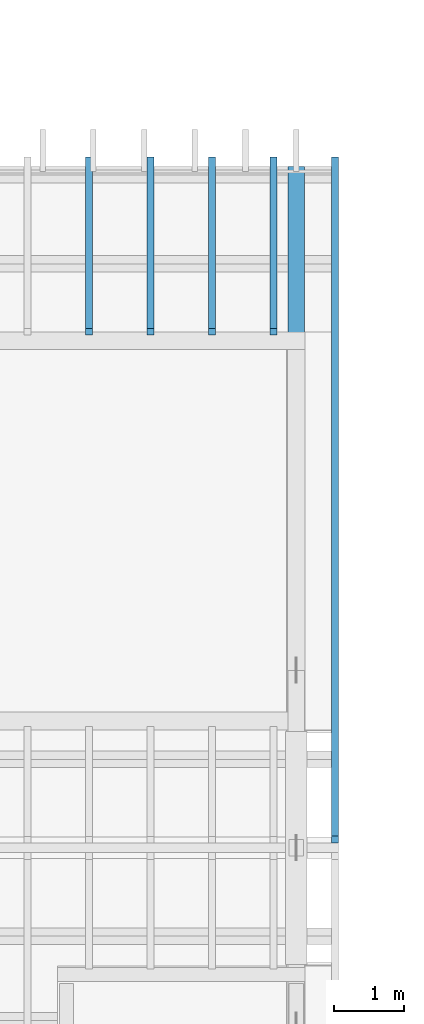
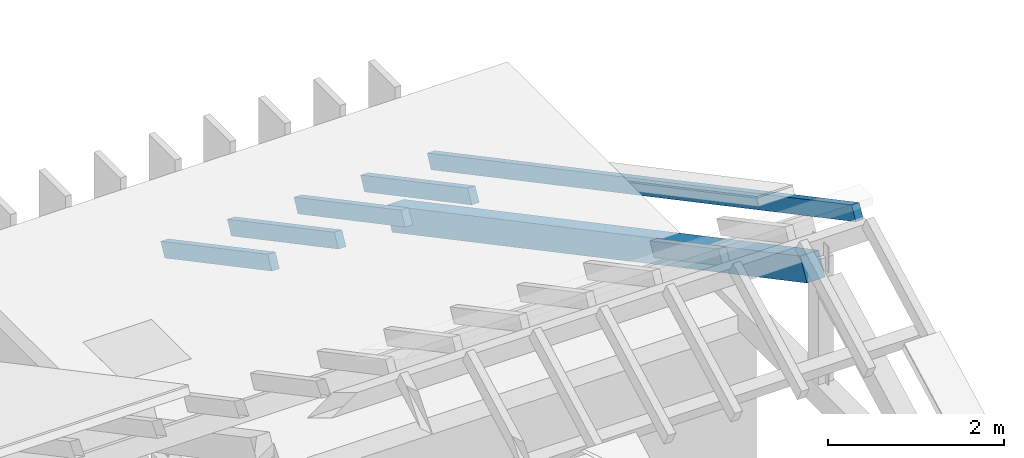
# One storey, part 11 of 28: 6 members.
"""IFC4 building model written with IfcOpenShell, lengths in metres."""

import ifcopenshell
import ifcopenshell.guid

model = None  # the IFC model being written
_history = None  # IfcOwnerHistory: only IFC2X3 demands one
_inside = {}  # id of a spatial element -> (the spatial element, [elements in it])
_under = {}  # id of a project, library or spatial element -> (it, [spatial elements below it])
_declared = {}  # id of a project -> (the project, [libraries it declares])
_typed = {}  # id of a type object -> (the type object, [elements of that type])
_made_of = {}  # id of a material, layer set ... -> (it, [elements and type objects made of it])


def new_model(schema):
    """Start an empty IFC model of exactly this schema.

    Asked for "IFC4X3", IfcOpenShell would pick the latest addendum, in which some entities
    have other attributes; the version numbers below select the first issue.
    IFC2X3 requires an IfcOwnerHistory on every rooted entity: one is made here for all.
    """
    global model, _history
    if schema == "IFC4X3":
        model = ifcopenshell.file(schema_version=(4, 3, 0, 0))
    else:
        model = ifcopenshell.file(schema=schema)
    _inside.clear()
    _under.clear()
    _declared.clear()
    _typed.clear()
    _made_of.clear()
    _history = None
    if model.schema == "IFC2X3":
        org = make("IfcOrganization", Name="unknown")
        user = make(
            "IfcPersonAndOrganization",
            ThePerson=make("IfcPerson", FamilyName="unknown"),
            TheOrganization=org,
        )
        app = make(
            "IfcApplication",
            ApplicationDeveloper=org,
            Version="unknown",
            ApplicationFullName="unknown",
            ApplicationIdentifier="unknown",
        )
        _history = make(
            "IfcOwnerHistory",
            OwningUser=user,
            OwningApplication=app,
            ChangeAction="ADDED",
            CreationDate=0,
        )
    return model


def make(cls, **values):
    """One entity of the class cls with the attributes given. An attribute that is None is left unset."""
    return model.create_entity(
        cls, **{name: value for name, value in values.items() if value is not None}
    )


def rooted(cls, **values):
    """An entity with a GlobalId (a new one), such as an element, a storey or a relation."""
    return make(cls, GlobalId=ifcopenshell.guid.new(), OwnerHistory=_history, **values)


def si_unit(unit_type, name, prefix=None):
    """IfcSIUnit, for example si_unit("LENGTHUNIT", "METRE", prefix="MILLI")."""
    return make("IfcSIUnit", UnitType=unit_type, Prefix=prefix, Name=name)


def assignment(units):
    """IfcUnitAssignment: the units of a project."""
    return None if units is None else make("IfcUnitAssignment", Units=units)


def point(xyz):
    """IfcCartesianPoint."""
    return None if xyz is None else make("IfcCartesianPoint", Coordinates=xyz)


def direction(xyz):
    """IfcDirection."""
    return None if xyz is None else make("IfcDirection", DirectionRatios=xyz)


def frame(location, z_axis=None, x_axis=None):
    """IfcAxis2Placement3D, a coordinate frame: its origin and axes. An axis left out is left unset."""
    return make(
        "IfcAxis2Placement3D",
        Location=point(location),
        Axis=direction(z_axis),
        RefDirection=direction(x_axis),
    )


def frame_2d(location, x_axis=None):
    """IfcAxis2Placement2D, a coordinate frame in the plane: its origin and x axis."""
    return make(
        "IfcAxis2Placement2D", Location=point(location), RefDirection=direction(x_axis)
    )


def origin():
    """The frame at (0, 0, 0) with its axes left unset."""
    return frame((0.0, 0.0, 0.0))


def origin_2d():
    """The frame at (0, 0) in the plane with its x axis left unset."""
    return frame_2d((0.0, 0.0))


def place(relative_to, where):
    """IfcLocalPlacement: puts the frame where relative to a parent placement (None: the world)."""
    return make(
        "IfcLocalPlacement", PlacementRelTo=relative_to, RelativePlacement=where
    )


def context(
    kind, dimensions, precision=None, world=None, true_north=None, identifier=None
):
    """IfcGeometricRepresentationContext, for example the 3D "Model" context."""
    return make(
        "IfcGeometricRepresentationContext",
        ContextIdentifier=identifier,
        ContextType=kind,
        CoordinateSpaceDimension=dimensions,
        Precision=precision,
        WorldCoordinateSystem=world,
        TrueNorth=true_north,
    )


def subcontext(parent, identifier, kind, view, scale=None):
    """IfcGeometricRepresentationSubContext, for example "Body" below "Model"."""
    return make(
        "IfcGeometricRepresentationSubContext",
        ContextIdentifier=identifier,
        ContextType=kind,
        ParentContext=parent,
        TargetScale=scale,
        TargetView=view,
    )


def project(units=None, contexts=None):
    """IfcProject with its units and contexts."""
    return rooted(
        "IfcProject",
        Name="project",
        RepresentationContexts=contexts,
        UnitsInContext=assignment(units),
    )


def spatial(cls, under=None, at=None, **own):
    """A site, building, storey or space (cls), placed at a placement, below another one or the project."""
    s = rooted(cls, ObjectPlacement=at, **own)
    if under is not None:
        _under.setdefault(under.id(), (under, []))[1].append(s)
    return s


def profile(cls, at=None, kind="AREA", **sizes):
    """A parametric profile (cls). Its sizes go by their IFC names, for example OverallWidth=200.0."""
    return make(cls, ProfileType=kind, Position=at, **sizes)


def rectangle(**sizes):
    """IfcRectangleProfileDef."""
    return profile("IfcRectangleProfileDef", **sizes)


def extrude(swept, where, along, depth):
    """IfcExtrudedAreaSolid: the profile swept, set in the frame where, extruded along a direction by depth."""
    return make(
        "IfcExtrudedAreaSolid",
        SweptArea=swept,
        Position=where,
        ExtrudedDirection=direction(along),
        Depth=depth,
    )


def shape(context_of_items, identifier, shape_type, items):
    """IfcShapeRepresentation: the items that make up one representation, for example the "Body"."""
    return make(
        "IfcShapeRepresentation",
        ContextOfItems=context_of_items,
        RepresentationIdentifier=identifier,
        RepresentationType=shape_type,
        Items=items,
    )


def material(Name=None, Category=None):
    """IfcMaterial."""
    return make("IfcMaterial", Name=Name, Category=Category)


def material_profile(
    of_material, cross_section, Name=None, Category=None, Priority=None
):
    """IfcMaterialProfile: a cross section and its material."""
    return make(
        "IfcMaterialProfile",
        Name=Name,
        Material=of_material,
        Profile=cross_section,
        Priority=Priority,
        Category=Category,
    )


def profile_set(profiles, Name=None, composite=None):
    """IfcMaterialProfileSet."""
    return make(
        "IfcMaterialProfileSet",
        Name=Name,
        MaterialProfiles=profiles,
        CompositeProfile=composite,
    )


def made_of(thing, what):
    """Note that an element or type object is made of a material, layer set ...; save() writes the relation."""
    if what is not None:
        _made_of.setdefault(what.id(), (what, []))[1].append(thing)
    return thing


def type_object(cls, material=None, **own):
    """A type object (cls), such as IfcWallType, which elements share."""
    return made_of(rooted(cls, **own), material)


def element(
    cls,
    number,
    at=None,
    inside=None,
    cuts=None,
    type_object=None,
    material=None,
    context=None,
    identifier="Body",
    shape_type=None,
    held_by="IfcProductDefinitionShape",
    body=None,
    shapes=None,
    **own,
):
    """One element of the class cls, such as IfcWall. Its Tag is "e" and its number.

    at: its placement. inside: the storey or other place that contains it. cuts: it is an
    opening in that element (IfcRelVoidsElement). A single representation is given by context,
    identifier, shape_type and body (its items); several are given by shapes. held_by: the class
    of the entity that holds the representations. save() writes the other relations.
    """
    e = rooted(cls, Tag="e%d" % number, ObjectPlacement=at, **own)
    if body is not None:
        shapes = [shape(context, identifier, shape_type, body)]
    if shapes is not None:
        e.Representation = make(held_by, Representations=shapes)
    if inside is not None:
        _inside.setdefault(inside.id(), (inside, []))[1].append(e)
    if cuts is not None:
        rooted(
            "IfcRelVoidsElement", RelatingBuildingElement=cuts, RelatedOpeningElement=e
        )
    if type_object is not None:
        _typed.setdefault(type_object.id(), (type_object, []))[1].append(e)
    return made_of(e, material)


def aggregate(whole, parts):
    """IfcRelAggregates: a whole, such as a stair, and the parts it consists of."""
    return rooted("IfcRelAggregates", RelatingObject=whole, RelatedObjects=parts)


def save(model, path):
    """Write the relations noted so far, then the file.

    IfcRelAggregates (storeys below a building ...), IfcRelContainedInSpatialStructure (elements
    in a storey), IfcRelDefinesByType, IfcRelAssociatesMaterial and IfcRelDeclares: one each for
    every whole, place, type object, material and project.
    """
    for whole, parts in _under.values():
        aggregate(whole, parts)
    for where, things in _inside.values():
        rooted(
            "IfcRelContainedInSpatialStructure",
            RelatedElements=things,
            RelatingStructure=where,
        )
    for kind, things in _typed.values():
        rooted("IfcRelDefinesByType", RelatedObjects=things, RelatingType=kind)
    for what, things in _made_of.values():
        rooted("IfcRelAssociatesMaterial", RelatedObjects=things, RelatingMaterial=what)
    for by, libraries in _declared.values():
        rooted("IfcRelDeclares", RelatingContext=by, RelatedDefinitions=libraries)
    model.write(path)


model = new_model("IFC4")

# Units and contexts
model_context = context("Model", 3, precision=1e-05, world=origin(), true_north=direction((0.0, 1.0)))
body_context = subcontext(model_context, "Body", "Model", "MODEL_VIEW")
ifc_project = project(units=[si_unit("LENGTHUNIT", "METRE"), si_unit("AREAUNIT", "SQUARE_METRE"), si_unit("VOLUMEUNIT", "CUBIC_METRE"), si_unit("PLANEANGLEUNIT", "RADIAN"), si_unit("MASSUNIT", "GRAM", prefix="KILO")], contexts=[model_context])

# Site, building, storey
site_placement = place(None, origin())
site = spatial("IfcSite", under=ifc_project, at=site_placement, CompositionType="ELEMENT")
building_placement = place(site_placement, origin())
building = spatial("IfcBuilding", under=site, at=building_placement, Name="Mazhai Court Health Centre", CompositionType="ELEMENT")
storey_placement = place(building_placement, frame((0.0, 0.0, 18.0)))
storey = spatial("IfcBuildingStorey", under=building, at=storey_placement, Name="RF", CompositionType="ELEMENT", Elevation=18.0)

# Members
ifc_material_1 = material(Name="Glulam GL24h", Category="wood")
ifc_material_profile_1 = material_profile(ifc_material_1, rectangle(XDim=0.10009765625, YDim=0.199951171875, at=origin_2d()), Name="GL24h 100x200")
ifc_profile_set_1 = profile_set([ifc_material_profile_1], Name="Glulam GL24h")
member_type_1 = type_object("IfcMemberType", Name="GL24h 100x200 rafter", PredefinedType="RAFTER", material=ifc_profile_set_1)
member_1_placement = place(storey_placement, frame((129.14990234375, 30.359619140625, 0.01025390625), z_axis=(0.0, -0.882941993072, 0.469482094301), x_axis=(1.0, 0.0, 0.0)))
element("IfcMember", 1, at=member_1_placement, inside=storey, type_object=member_type_1, Name="Rafter RV4E-RF54", PredefinedType="RAFTER", context=body_context, shape_type="SweptSolid", body=[
    extrude(rectangle(XDim=0.10009765625, YDim=0.199951171875, at=origin_2d()), origin(), (0.0, 0.0, 1.0), 10.9208984375),
])
for number, where, z_axis, x_axis, name in (
    (2, (125.65771484375, 30.359619140625, 0.01025390625), (0.0, -0.882955170154, 0.469457311689), (1.0, 0.0, 0.0), "Rafter RV4E-RF50"),
    (3, (126.53076171875, 30.359619140625, 0.01025390625), (0.0, -0.882955170154, 0.469457311689), (1.0, 0.0, 0.0), "Rafter RV4E-RF51"),
    (4, (127.40380859375, 30.359619140625, 0.01025390625), (0.0, -0.882955170154, 0.469457311689), (1.0, 0.0, 0.0), "Rafter RV4E-RF52"),
    (5, (128.27685546875, 30.359619140625, 0.01025390625), (0.0, -0.882955170154, 0.469457311689), (1.0, 0.0, 0.0), "Rafter RV4E-RF53"),
):
    element("IfcMember", number, at=place(storey_placement, frame(where, z_axis=z_axis, x_axis=x_axis)), inside=storey, type_object=member_type_1, Name=name, PredefinedType="RAFTER", context=body_context, shape_type="SweptSolid", body=[
        extrude(rectangle(XDim=0.10009765625, YDim=0.199951171875, at=origin_2d()), origin(), (0.0, 0.0, 1.0), 2.75732421875),
    ])
ifc_material_2 = material(Name="Glulam GL28h", Category="wood")
ifc_material_profile_2 = material_profile(ifc_material_2, rectangle(XDim=0.239990234375, YDim=0.320068359375, at=origin_2d()), Name="GL28h 240x320")
ifc_profile_set_2 = profile_set([ifc_material_profile_2], Name="Glulam GL28h")
member_type_2 = type_object("IfcMemberType", Name="GL28h 240x320 rafter", PredefinedType="CHORD", material=ifc_profile_set_2)
member_2_placement = place(storey_placement, frame((128.60009765625, 20.780029296875, 4.53759765625), z_axis=(0.0, 0.882942629048, -0.469480898237), x_axis=(-1.0, 0.0, 0.0)))
element("IfcMember", 6, at=member_2_placement, inside=storey, type_object=member_type_2, Name="Rafter TV4E-4-R8", PredefinedType="CHORD", context=body_context, shape_type="SweptSolid", body=[
    extrude(rectangle(XDim=0.239990234375, YDim=0.320068359375, at=origin_2d()), origin(), (0.0, 0.0, 1.0), 10.668701171875),
])

save(model, "model.ifc")
